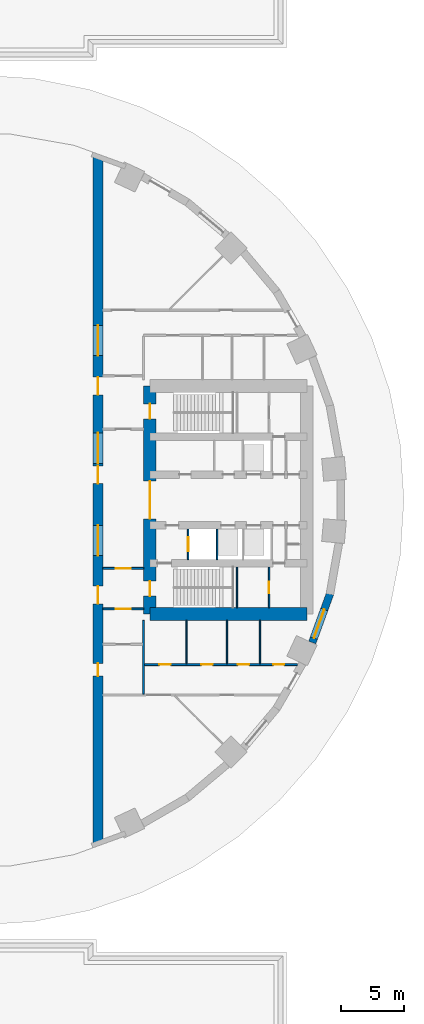
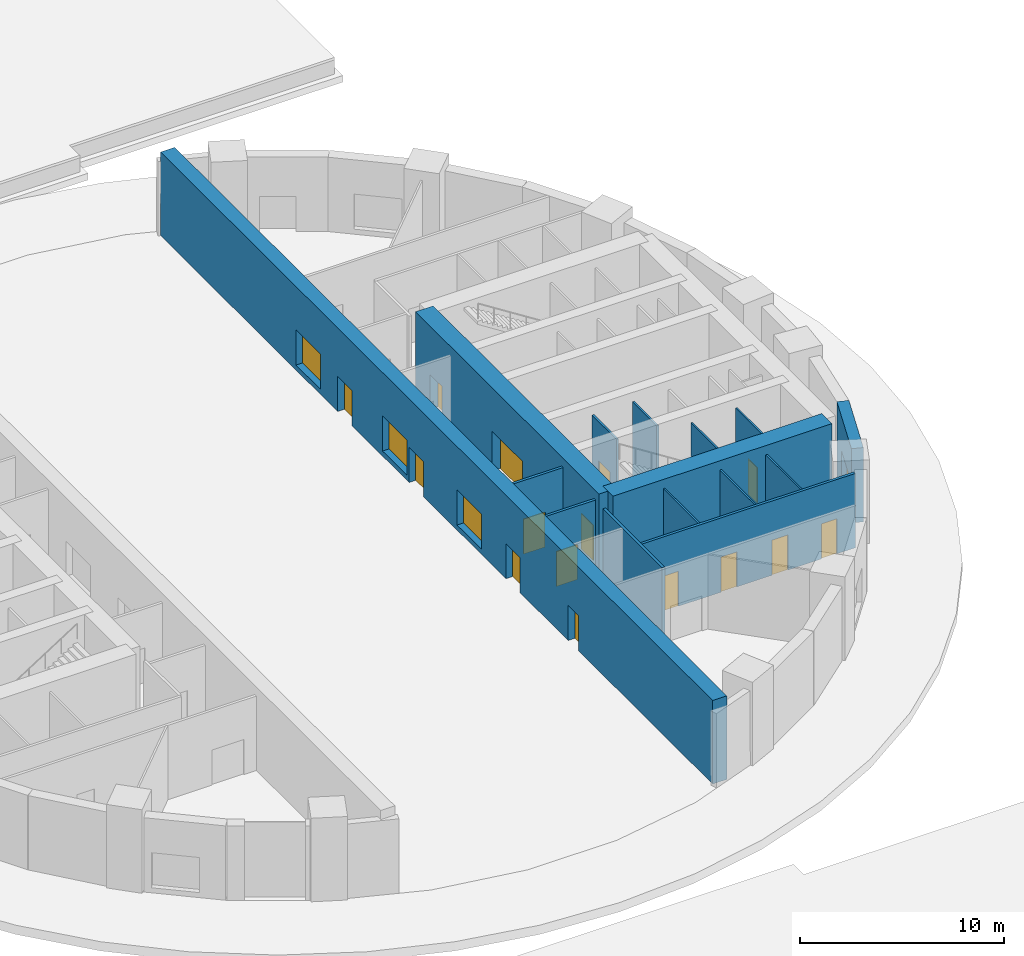
# One storey, part 4 of 10: 15 doors, 15 walls, 4 windows, 19 openings.
"""IFC4 building model written with IfcOpenShell, lengths in metres."""

from ifc_helpers import new_model, si_unit, direction, frame, frame_2d, origin, place, context, subcontext, project, spatial, rectangle, extrude, material, layer, layer_set, type_object, element, fill, save


model = new_model("IFC4")

# Units and contexts
model_context = context("Model", 3, precision=1e-05, world=origin(), true_north=direction((0.0, 1.0)))
body_context = subcontext(model_context, "Body", "Model", "MODEL_VIEW")
ifc_project = project(units=[si_unit("LENGTHUNIT", "METRE"), si_unit("AREAUNIT", "SQUARE_METRE"), si_unit("VOLUMEUNIT", "CUBIC_METRE"), si_unit("PLANEANGLEUNIT", "RADIAN"), si_unit("MASSUNIT", "GRAM", prefix="KILO")], contexts=[model_context])

# Site, building, storey
site_placement = place(None, origin())
site = spatial("IfcSite", under=ifc_project, at=site_placement, CompositionType="ELEMENT")
building_placement = place(site_placement, origin())
building = spatial("IfcBuilding", under=site, at=building_placement, Name="Saqina Gate Tower", CompositionType="ELEMENT")
storey_placement = place(building_placement, origin())
storey = spatial("IfcBuildingStorey", under=building, at=storey_placement, Name="L00", CompositionType="ELEMENT", Elevation=0.0)

# Wall, opening, door
ifc_material_1 = material(Name="Gypsum board on steel studs", Category="steel")
ifc_layer_1 = layer(ifc_material_1, 0.10009765625)
ifc_layer_set_1 = layer_set([ifc_layer_1], Name="CORE PARTITION")
wall_type_1 = type_object("IfcWallType", Name="CORE PARTITION", PredefinedType="PARTITIONING", material=ifc_layer_set_1)
wall_1_placement = place(storey_placement, frame((22.919921875, -8.5, 0.0), z_axis=(0.0, 0.0, 1.0), x_axis=(0.0, 1.0, 0.0)))
wall_1 = element("IfcWall", 1, at=wall_1_placement, inside=storey, type_object=wall_type_1, Name="L00-CP-E14", PredefinedType="PARTITIONING", context=body_context, shape_type="SweptSolid", body=[
    extrude(rectangle(XDim=3.199951171875, YDim=0.10009765625, at=frame_2d((1.60009765625, 0.0))), origin(), (0.0, 0.0, 1.0), 4.449951171875),
])
opening_1_placement = place(wall_1_placement, frame((1.14990234375, 0.0, 0.0)))
opening_1 = element("IfcOpeningElement", 2, at=opening_1_placement, cuts=wall_1, Name="Opening L00-D100", PredefinedType="OPENING", context=body_context, shape_type="SweptSolid", body=[
    extrude(rectangle(XDim=0.89990234375, YDim=2.10009765625, at=frame_2d((0.449951171875, 1.050048828125))), frame((0.0, 0.06201171875, 0.0), z_axis=(0.0, -1.0, 0.0), x_axis=(1.0, 0.0, 0.0)), (0.0, 0.0, 1.0), 0.1240234375),
])
ifc_material_2 = material(Name="Steel-framed fire door leaf, EI 60", Category="steel")
door_type_1 = type_object("IfcDoorType", Name="SERVICE ROOM DOOR 900", OperationType="SINGLE_SWING_LEFT", PredefinedType="DOOR", material=ifc_material_2)
door_1_placement = place(opening_1_placement, origin())
door_1 = element("IfcDoor", 3, at=door_1_placement, inside=storey, type_object=door_type_1, Name="L00-CD-E11", OperationType="SINGLE_SWING_LEFT", OverallHeight=2.10009765625, OverallWidth=0.89990234375, PredefinedType="DOOR", context=body_context, shape_type="SweptSolid", body=[
    extrude(rectangle(XDim=0.89990234375, YDim=2.10009765625, at=frame_2d((0.449951171875, 1.050048828125))), frame((0.0, 0.02490234375, 0.0), z_axis=(0.0, -1.0, 0.0), x_axis=(1.0, 0.0, 0.0)), (0.0, 0.0, 1.0), 0.050048828125),
])
fill(opening_1, door_1)

# Wall, opening, window
ifc_material_3 = material(Name="Glazed ceramic tile (dark blue)", Category="ceramic")
ifc_layer_2 = layer(ifc_material_3, 0.60009765625)
ifc_layer_set_2 = layer_set([ifc_layer_2], Name="FW-TILE-CB")
wall_type_2 = type_object("IfcWallType", Name="FW-TILE-CB", PredefinedType="SOLIDWALL", material=ifc_layer_set_2)
wall_2_placement = place(storey_placement, frame((26.327880859375, -11.255126953125, 0.0), z_axis=(0.0, 0.0, 1.0), x_axis=(0.342034744565, 0.939687306241, 0.0)))
wall_2 = element("IfcWall", 4, at=wall_2_placement, inside=storey, type_object=wall_type_2, Name="Facade wall L00 facet 34", PredefinedType="SOLIDWALL", context=body_context, shape_type="SweptSolid", body=[
    extrude(rectangle(XDim=4.099365234375, YDim=0.60009765625, at=frame_2d((2.0498046875, 0.0))), origin(), (0.0, 0.0, 1.0), 4.449951171875),
])
opening_2_placement = place(wall_2_placement, frame((0.37158203125, 0.0, 0.300048828125)))
opening_2 = element("IfcOpeningElement", 5, at=opening_2_placement, cuts=wall_2, Name="Opening L00-W58", PredefinedType="OPENING", context=body_context, shape_type="SweptSolid", body=[
    extrude(rectangle(XDim=2.39990234375, YDim=2.10009765625, at=frame_2d((1.199951171875, 1.050048828125))), frame((0.0, 0.31201171875, 0.0), z_axis=(0.0, -1.0, 0.0), x_axis=(1.0, 0.0, 0.0)), (0.0, 0.0, 1.0), 0.6240234375),
])
ifc_material_4 = material(Name="Double glazed unit in aluminium frame", Category="aluminium")
window_type = type_object("IfcWindowType", Name="SHOPFRONT WINDOW 2400", PartitioningType="SINGLE_PANEL", PredefinedType="WINDOW", material=ifc_material_4)
window_1_placement = place(opening_2_placement, origin())
window_1 = element("IfcWindow", 6, at=window_1_placement, inside=storey, type_object=window_type, Name="Shopfront window", OverallHeight=2.10009765625, OverallWidth=2.39990234375, PartitioningType="SINGLE_PANEL", PredefinedType="WINDOW", context=body_context, shape_type="SweptSolid", body=[
    extrude(rectangle(XDim=2.39990234375, YDim=2.10009765625, at=frame_2d((1.199951171875, 1.050048828125))), frame((0.0, 0.030029296875, 0.0), z_axis=(0.0, -1.0, 0.0), x_axis=(1.0, 0.0, 0.0)), (0.0, 0.0, 1.0), 0.06005859375),
])
fill(opening_2, window_1)

# Wall, opening, door
ifc_material_5 = material(Name="Autoclaved aerated concrete block", Category="concrete")
ifc_layer_3 = layer(ifc_material_5, 0.1201171875)
ifc_layer_set_3 = layer_set([ifc_layer_3], Name="SHAFT PARTITION")
wall_type_3 = type_object("IfcWallType", Name="SHAFT PARTITION", PredefinedType="PARTITIONING", material=ifc_layer_set_3)
wall_3_placement = place(storey_placement, frame((16.530029296875, -4.699951171875, 0.0), z_axis=(0.0, 0.0, 1.0), x_axis=(0.0, 1.0, 0.0)))
wall_3 = element("IfcWall", 7, at=wall_3_placement, inside=storey, type_object=wall_type_3, Name="L00-CP-E05", PredefinedType="PARTITIONING", context=body_context, shape_type="SweptSolid", body=[
    extrude(rectangle(XDim=2.39990234375, YDim=0.1201171875, at=frame_2d((1.199951171875, 0.0))), origin(), (0.0, 0.0, 1.0), 4.449951171875),
])
opening_3_placement = place(wall_3_placement, frame((0.64990234375, 0.0, 0.0)))
opening_3 = element("IfcOpeningElement", 8, at=opening_3_placement, cuts=wall_3, Name="Opening L00-LD2", PredefinedType="OPENING", context=body_context, shape_type="SweptSolid", body=[
    extrude(rectangle(XDim=1.10009765625, YDim=2.10009765625, at=frame_2d((0.550048828125, 1.050048828125))), frame((0.0, 0.072021484375, 0.0), z_axis=(0.0, -1.0, 0.0), x_axis=(1.0, 0.0, 0.0)), (0.0, 0.0, 1.0), 0.14404296875),
])
ifc_material_6 = material(Name="Stainless steel", Category="steel")
door_type_2 = type_object("IfcDoorType", Name="LANDING DOOR", OperationType="DOUBLE_DOOR_SLIDING", PredefinedType="DOOR", material=ifc_material_6)
door_2_placement = place(opening_3_placement, origin())
door_2 = element("IfcDoor", 9, at=door_2_placement, inside=storey, type_object=door_type_2, Name="LANDING DOOR FF1", OperationType="DOUBLE_DOOR_SLIDING", OverallHeight=2.10009765625, OverallWidth=1.10009765625, PredefinedType="DOOR", context=body_context, shape_type="SweptSolid", body=[
    extrude(rectangle(XDim=1.10009765625, YDim=2.10009765625, at=frame_2d((0.550048828125, 1.050048828125))), frame((0.0, 0.02490234375, 0.0), z_axis=(0.0, -1.0, 0.0), x_axis=(1.0, 0.0, 0.0)), (0.0, 0.0, 1.0), 0.050048828125),
])
fill(opening_3, door_2)

# Walls
wall_4_placement = place(storey_placement, frame((18.81005859375, -4.699951171875, 0.0), z_axis=(0.0, 0.0, 1.0), x_axis=(0.0, 1.0, 0.0)))
element("IfcWall", 10, at=wall_4_placement, inside=storey, type_object=wall_type_3, Name="L00-CP-E06", PredefinedType="PARTITIONING", context=body_context, shape_type="SweptSolid", body=[
    extrude(rectangle(XDim=2.39990234375, YDim=0.1201171875, at=frame_2d((1.199951171875, 0.0))), origin(), (0.0, 0.0, 1.0), 4.449951171875),
])
ifc_material_7 = material(Name="Gypsum board on steel studs, 100 mm", Category="steel")
ifc_layer_4 = layer(ifc_material_7, 0.10009765625)
ifc_layer_set_4 = layer_set([ifc_layer_4], Name="SPECIAL PARTITION 100")
wall_type_4 = type_object("IfcWallType", Name="SPECIAL PARTITION 100", PredefinedType="PARTITIONING", material=ifc_layer_set_4)
for number, where, z_axis, x_axis, name in (
    (11, (22.199951171875, -12.925048828125, 0.0), (0.0, 0.0, 1.0), (0.0, 1.0, 0.0), "PARTITION 023"),
    (12, (19.60009765625, -12.925048828125, 0.0), (0.0, 0.0, 1.0), (0.0, 1.0, 0.0), "PARTITION 025"),
    (13, (16.39990234375, -12.925048828125, 0.0), (0.0, 0.0, 1.0), (0.0, 1.0, 0.0), "PARTITION 027"),
):
    element("IfcWall", number, at=place(storey_placement, frame(where, z_axis=z_axis, x_axis=x_axis)), inside=storey, type_object=wall_type_4, Name=name, PredefinedType="PARTITIONING", context=body_context, shape_type="SweptSolid", body=[
        extrude(rectangle(XDim=3.425048828125, YDim=0.10009765625, at=frame_2d((1.71240234375, 0.0))), origin(), (0.0, 0.0, 1.0), 4.449951171875),
    ])

# Wall, openings, doors
ifc_material_8 = material(Name="Gypsum board on steel studs, 150 mm, fire rated", Category="steel")
ifc_layer_5 = layer(ifc_material_8, 0.14990234375)
ifc_layer_set_5 = layer_set([ifc_layer_5], Name="SPECIAL PARTITION EI 30 150")
wall_type_5 = type_object("IfcWallType", Name="SPECIAL PARTITION EI 30 150", PredefinedType="PARTITIONING", material=ifc_layer_set_5)
wall_5_placement = place(storey_placement, frame((13.074951171875, -13.0, 0.0), z_axis=(0.0, 0.0, 1.0), x_axis=(1.0, 0.0, 0.0)))
wall_5 = element("IfcWall", 14, at=wall_5_placement, inside=storey, type_object=wall_type_5, Name="PARTITION 006", PredefinedType="PARTITIONING", context=body_context, shape_type="SweptSolid", body=[
    extrude(rectangle(XDim=12.0849609375, YDim=0.14990234375, at=frame_2d((6.04248046875, 0.0))), origin(), (0.0, 0.0, 1.0), 4.449951171875),
])
opening_4_placement = place(wall_5_placement, frame((1.175048828125, 0.0, 0.0)))
opening_4 = element("IfcOpeningElement", 15, at=opening_4_placement, cuts=wall_5, Name="Opening L00-D26", PredefinedType="OPENING", context=body_context, shape_type="SweptSolid", body=[
    extrude(rectangle(XDim=0.89990234375, YDim=2.10009765625, at=frame_2d((0.449951171875, 1.050048828125))), frame((0.0, 0.0869140625, 0.0), z_axis=(0.0, -1.0, 0.0), x_axis=(1.0, 0.0, 0.0)), (0.0, 0.0, 1.0), 0.173828125),
])
opening_5_placement = place(wall_5_placement, frame((4.47509765625, 0.0, 0.0)))
opening_5 = element("IfcOpeningElement", 16, at=opening_5_placement, cuts=wall_5, Name="Opening L00-D29", PredefinedType="OPENING", context=body_context, shape_type="SweptSolid", body=[
    extrude(rectangle(XDim=0.89990234375, YDim=2.10009765625, at=frame_2d((0.449951171875, 1.050048828125))), frame((0.0, 0.0869140625, 0.0), z_axis=(0.0, -1.0, 0.0), x_axis=(1.0, 0.0, 0.0)), (0.0, 0.0, 1.0), 0.173828125),
])
opening_6_placement = place(wall_5_placement, frame((7.375, 0.0, 0.0)))
opening_6 = element("IfcOpeningElement", 17, at=opening_6_placement, cuts=wall_5, Name="Opening L00-D30", PredefinedType="OPENING", context=body_context, shape_type="SweptSolid", body=[
    extrude(rectangle(XDim=0.89990234375, YDim=2.10009765625, at=frame_2d((0.449951171875, 1.050048828125))), frame((0.0, 0.0869140625, 0.0), z_axis=(0.0, -1.0, 0.0), x_axis=(1.0, 0.0, 0.0)), (0.0, 0.0, 1.0), 0.173828125),
])
opening_7_placement = place(wall_5_placement, frame((10.155029296875, 0.0, 0.0)))
opening_7 = element("IfcOpeningElement", 18, at=opening_7_placement, cuts=wall_5, Name="Opening L00-D31", PredefinedType="OPENING", context=body_context, shape_type="SweptSolid", body=[
    extrude(rectangle(XDim=0.89990234375, YDim=2.10009765625, at=frame_2d((0.449951171875, 1.050048828125))), frame((0.0, 0.0869140625, 0.0), z_axis=(0.0, -1.0, 0.0), x_axis=(1.0, 0.0, 0.0)), (0.0, 0.0, 1.0), 0.173828125),
])
ifc_material_9 = material(Name="Steel-framed fire door leaf, EI 30", Category="steel")
door_type_3 = type_object("IfcDoorType", Name="SPECIAL DOOR 900 FIRE EI 30", OperationType="SINGLE_SWING_LEFT", PredefinedType="DOOR", material=ifc_material_9)
door_3_placement = place(opening_4_placement, origin())
door_3 = element("IfcDoor", 19, at=door_3_placement, inside=storey, type_object=door_type_3, Name="DOOR L00-D26", OperationType="SINGLE_SWING_LEFT", OverallHeight=2.10009765625, OverallWidth=0.89990234375, PredefinedType="DOOR", context=body_context, shape_type="SweptSolid", body=[
    extrude(rectangle(XDim=0.89990234375, YDim=2.10009765625, at=frame_2d((0.449951171875, 1.050048828125))), frame((0.0, 0.02490234375, 0.0), z_axis=(0.0, -1.0, 0.0), x_axis=(1.0, 0.0, 0.0)), (0.0, 0.0, 1.0), 0.050048828125),
])
fill(opening_4, door_3)
door_4_placement = place(opening_5_placement, origin())
door_4 = element("IfcDoor", 20, at=door_4_placement, inside=storey, type_object=door_type_3, Name="DOOR L00-D29", OperationType="SINGLE_SWING_LEFT", OverallHeight=2.10009765625, OverallWidth=0.89990234375, PredefinedType="DOOR", context=body_context, shape_type="SweptSolid", body=[
    extrude(rectangle(XDim=0.89990234375, YDim=2.10009765625, at=frame_2d((0.449951171875, 1.050048828125))), frame((0.0, 0.02490234375, 0.0), z_axis=(0.0, -1.0, 0.0), x_axis=(1.0, 0.0, 0.0)), (0.0, 0.0, 1.0), 0.050048828125),
])
fill(opening_5, door_4)
door_5_placement = place(opening_6_placement, origin())
door_5 = element("IfcDoor", 21, at=door_5_placement, inside=storey, type_object=door_type_3, Name="DOOR L00-D30", OperationType="SINGLE_SWING_RIGHT", OverallHeight=2.10009765625, OverallWidth=0.89990234375, PredefinedType="DOOR", context=body_context, shape_type="SweptSolid", body=[
    extrude(rectangle(XDim=0.89990234375, YDim=2.10009765625, at=frame_2d((0.449951171875, 1.050048828125))), frame((0.0, 0.02490234375, 0.0), z_axis=(0.0, -1.0, 0.0), x_axis=(1.0, 0.0, 0.0)), (0.0, 0.0, 1.0), 0.050048828125),
])
fill(opening_6, door_5)
door_6_placement = place(opening_7_placement, origin())
door_6 = element("IfcDoor", 22, at=door_6_placement, inside=storey, type_object=door_type_3, Name="DOOR L00-D31", OperationType="SINGLE_SWING_RIGHT", OverallHeight=2.10009765625, OverallWidth=0.89990234375, PredefinedType="DOOR", context=body_context, shape_type="SweptSolid", body=[
    extrude(rectangle(XDim=0.89990234375, YDim=2.10009765625, at=frame_2d((0.449951171875, 1.050048828125))), frame((0.0, 0.02490234375, 0.0), z_axis=(0.0, -1.0, 0.0), x_axis=(1.0, 0.0, 0.0)), (0.0, 0.0, 1.0), 0.050048828125),
])
fill(opening_7, door_6)

# Wall, opening, door
wall_6_placement = place(storey_placement, frame((9.800048828125, -8.60009765625, 0.0), z_axis=(0.0, 0.0, 1.0), x_axis=(1.0, 0.0, 0.0)))
wall_6 = element("IfcWall", 23, at=wall_6_placement, inside=storey, type_object=wall_type_5, Name="PARTITION 009", PredefinedType="PARTITIONING", context=body_context, shape_type="SweptSolid", body=[
    extrude(rectangle(XDim=3.199951171875, YDim=0.14990234375, at=frame_2d((1.60009765625, 0.0))), origin(), (0.0, 0.0, 1.0), 4.449951171875),
])
opening_8_placement = place(wall_6_placement, frame((1.0, 0.0, 0.0)))
opening_8 = element("IfcOpeningElement", 24, at=opening_8_placement, cuts=wall_6, Name="Opening L00-D28", PredefinedType="OPENING", context=body_context, shape_type="SweptSolid", body=[
    extrude(rectangle(XDim=1.199951171875, YDim=2.10009765625, at=frame_2d((0.60009765625, 1.050048828125))), frame((0.0, 0.0869140625, 0.0), z_axis=(0.0, -1.0, 0.0), x_axis=(1.0, 0.0, 0.0)), (0.0, 0.0, 1.0), 0.173828125),
])
ifc_material_10 = material(Name="Steel-framed fire door leaf, EI 30", Category="steel")
door_type_4 = type_object("IfcDoorType", Name="SPECIAL DOOR 1200 FIRE EI 30", OperationType="SINGLE_SWING_LEFT", PredefinedType="DOOR", material=ifc_material_10)
door_7_placement = place(opening_8_placement, origin())
door_7 = element("IfcDoor", 25, at=door_7_placement, inside=storey, type_object=door_type_4, Name="DOOR L00-D28", OperationType="SINGLE_SWING_RIGHT", OverallHeight=2.10009765625, OverallWidth=1.199951171875, PredefinedType="DOOR", context=body_context, shape_type="SweptSolid", body=[
    extrude(rectangle(XDim=1.199951171875, YDim=2.10009765625, at=frame_2d((0.60009765625, 1.050048828125))), frame((0.0, 0.02490234375, 0.0), z_axis=(0.0, -1.0, 0.0), x_axis=(1.0, 0.0, 0.0)), (0.0, 0.0, 1.0), 0.050048828125),
])
fill(opening_8, door_7)

wall_7_placement = place(storey_placement, frame((9.800048828125, -5.39990234375, 0.0), z_axis=(0.0, 0.0, 1.0), x_axis=(1.0, 0.0, 0.0)))
wall_7 = element("IfcWall", 26, at=wall_7_placement, inside=storey, type_object=wall_type_5, Name="PARTITION 011", PredefinedType="PARTITIONING", context=body_context, shape_type="SweptSolid", body=[
    extrude(rectangle(XDim=3.199951171875, YDim=0.14990234375, at=frame_2d((1.60009765625, 0.0))), origin(), (0.0, 0.0, 1.0), 4.449951171875),
])
opening_9_placement = place(wall_7_placement, frame((1.0, 0.0, 0.0)))
opening_9 = element("IfcOpeningElement", 27, at=opening_9_placement, cuts=wall_7, Name="Opening L00-D32", PredefinedType="OPENING", context=body_context, shape_type="SweptSolid", body=[
    extrude(rectangle(XDim=1.199951171875, YDim=2.10009765625, at=frame_2d((0.60009765625, 1.050048828125))), frame((0.0, 0.0869140625, 0.0), z_axis=(0.0, -1.0, 0.0), x_axis=(1.0, 0.0, 0.0)), (0.0, 0.0, 1.0), 0.173828125),
])
door_8_placement = place(opening_9_placement, origin())
door_8 = element("IfcDoor", 28, at=door_8_placement, inside=storey, type_object=door_type_4, Name="DOOR L00-D32", OperationType="SINGLE_SWING_RIGHT", OverallHeight=2.10009765625, OverallWidth=1.199951171875, PredefinedType="DOOR", context=body_context, shape_type="SweptSolid", body=[
    extrude(rectangle(XDim=1.199951171875, YDim=2.10009765625, at=frame_2d((0.60009765625, 1.050048828125))), frame((0.0, 0.02490234375, 0.0), z_axis=(0.0, -1.0, 0.0), x_axis=(1.0, 0.0, 0.0)), (0.0, 0.0, 1.0), 0.050048828125),
])
fill(opening_9, door_8)

# Walls
ifc_material_11 = material(Name="Masonry block and plaster, 150 mm, fire rated", Category="masonry")
ifc_layer_6 = layer(ifc_material_11, 0.14990234375)
ifc_layer_set_6 = layer_set([ifc_layer_6], Name="SPECIAL PARTITION EI 60 150")
wall_type_6 = type_object("IfcWallType", Name="SPECIAL PARTITION EI 60 150", PredefinedType="PARTITIONING", material=ifc_layer_set_6)
wall_8_placement = place(storey_placement, frame((13.0, -15.324951171875, 0.0), z_axis=(0.0, 0.0, 1.0), x_axis=(0.0, 1.0, 0.0)))
element("IfcWall", 29, at=wall_8_placement, inside=storey, type_object=wall_type_6, Name="PARTITION 028", PredefinedType="PARTITIONING", context=body_context, shape_type="SweptSolid", body=[
    extrude(rectangle(XDim=5.824951171875, YDim=0.14990234375, at=frame_2d((2.91259765625, 0.0))), origin(), (0.0, 0.0, 1.0), 4.449951171875),
])
ifc_material_12 = material(Name="Autoclaved aerated concrete block", Category="concrete")
ifc_layer_7 = layer(ifc_material_12, 0.10009765625)
ifc_layer_set_7 = layer_set([ifc_layer_7], Name="STAIR ENCLOSURE WALL")
wall_type_7 = type_object("IfcWallType", Name="STAIR ENCLOSURE WALL", PredefinedType="PARTITIONING", material=ifc_layer_set_7)
wall_9_placement = place(storey_placement, frame((20.389892578125, -8.5, 0.0), z_axis=(0.0, 0.0, 1.0), x_axis=(0.0, 1.0, 0.0)))
element("IfcWall", 30, at=wall_9_placement, inside=storey, type_object=wall_type_7, Name="L00-CP-E13", PredefinedType="PARTITIONING", context=body_context, shape_type="SweptSolid", body=[
    extrude(rectangle(XDim=3.199951171875, YDim=0.10009765625, at=frame_2d((1.60009765625, 0.0))), origin(), (0.0, 0.0, 1.0), 4.449951171875),
])

# Wall, openings, doors
ifc_material_13 = material(Name="Concrete C70/85", Category="concrete")
ifc_layer_8 = layer(ifc_material_13, 1.0)
ifc_layer_set_8 = layer_set([ifc_layer_8], Name="Concrete C70/85")
wall_type_8 = type_object("IfcWallType", Name="STR-CORE WALL-P-O", PredefinedType="SHEAR", material=ifc_layer_set_8)
wall_10_placement = place(storey_placement, frame((13.5, -9.0, 0.0), z_axis=(0.0, 0.0, 1.0), x_axis=(0.0, 1.0, 0.0)))
wall_10 = element("IfcWall", 31, at=wall_10_placement, inside=storey, type_object=wall_type_8, Name="CORE WALL L00 E-W1", PredefinedType="SHEAR", context=body_context, shape_type="SweptSolid", body=[
    extrude(rectangle(XDim=18.0, YDim=1.0, at=frame_2d((9.0, 0.0))), origin(), (0.0, 0.0, 1.0), 5.0),
])
opening_10_placement = place(wall_10_placement, frame((15.39990234375, 0.0, 0.0)))
opening_10 = element("IfcOpeningElement", 32, at=opening_10_placement, cuts=wall_10, Name="Opening L00-D103", PredefinedType="OPENING", context=body_context, shape_type="SweptSolid", body=[
    extrude(rectangle(XDim=1.199951171875, YDim=2.10009765625, at=frame_2d((0.60009765625, 1.050048828125))), frame((0.0, 0.511962890625, 0.0), z_axis=(0.0, -1.0, 0.0), x_axis=(1.0, 0.0, 0.0)), (0.0, 0.0, 1.0), 1.02392578125),
])
opening_11_placement = place(wall_10_placement, frame((1.39990234375, 0.0, 0.0)))
opening_11 = element("IfcOpeningElement", 33, at=opening_11_placement, cuts=wall_10, Name="Opening L00-D104", PredefinedType="OPENING", context=body_context, shape_type="SweptSolid", body=[
    extrude(rectangle(XDim=1.199951171875, YDim=2.10009765625, at=frame_2d((0.60009765625, 1.050048828125))), frame((0.0, 0.511962890625, 0.0), z_axis=(0.0, -1.0, 0.0), x_axis=(1.0, 0.0, 0.0)), (0.0, 0.0, 1.0), 1.02392578125),
])
opening_12_placement = place(wall_10_placement, frame((7.5, 0.0, 0.0)))
opening_12 = element("IfcOpeningElement", 34, at=opening_12_placement, cuts=wall_10, Name="Opening L00-D105", PredefinedType="OPENING", context=body_context, shape_type="SweptSolid", body=[
    extrude(rectangle(XDim=3.0, YDim=2.39990234375, at=frame_2d((1.5, 1.199951171875))), frame((0.0, 0.511962890625, 0.0), z_axis=(0.0, -1.0, 0.0), x_axis=(1.0, 0.0, 0.0)), (0.0, 0.0, 1.0), 1.02392578125),
])
ifc_material_14 = material(Name="Steel", Category="steel")
door_type_5 = type_object("IfcDoorType", Name="FIRE DOOR EI 60", OperationType="SINGLE_SWING_LEFT", PredefinedType="DOOR", material=ifc_material_14)
door_9_placement = place(opening_10_placement, frame((1.199951171875, 0.0, 0.0), z_axis=(0.0, 0.0, 1.0), x_axis=(-1.0, 0.0, 0.0)))
door_9 = element("IfcDoor", 35, at=door_9_placement, inside=storey, type_object=door_type_5, Name="L00-CD-E14", OperationType="SINGLE_SWING_LEFT", OverallHeight=2.10009765625, OverallWidth=1.199951171875, PredefinedType="DOOR", context=body_context, shape_type="SweptSolid", body=[
    extrude(rectangle(XDim=1.199951171875, YDim=2.10009765625, at=frame_2d((0.60009765625, 1.050048828125))), frame((0.0, 0.02490234375, 0.0), z_axis=(0.0, -1.0, 0.0), x_axis=(1.0, 0.0, 0.0)), (0.0, 0.0, 1.0), 0.050048828125),
])
fill(opening_10, door_9)
door_10_placement = place(opening_11_placement, frame((1.199951171875, 0.0, 0.0), z_axis=(0.0, 0.0, 1.0), x_axis=(-1.0, 0.0, 0.0)))
door_10 = element("IfcDoor", 36, at=door_10_placement, inside=storey, type_object=door_type_5, Name="L00-CD-E15", OperationType="SINGLE_SWING_RIGHT", OverallHeight=2.10009765625, OverallWidth=1.199951171875, PredefinedType="DOOR", context=body_context, shape_type="SweptSolid", body=[
    extrude(rectangle(XDim=1.199951171875, YDim=2.10009765625, at=frame_2d((0.60009765625, 1.050048828125))), frame((0.0, 0.02490234375, 0.0), z_axis=(0.0, -1.0, 0.0), x_axis=(1.0, 0.0, 0.0)), (0.0, 0.0, 1.0), 0.050048828125),
])
fill(opening_11, door_10)
ifc_material_15 = material(Name="Steel and fire-resisting glass", Category="steel")
door_type_6 = type_object("IfcDoorType", Name="LOBBY SCREEN DOOR", OperationType="DOUBLE_DOOR_SLIDING", PredefinedType="DOOR", material=ifc_material_15)
door_11_placement = place(opening_12_placement, origin())
door_11 = element("IfcDoor", 37, at=door_11_placement, inside=storey, type_object=door_type_6, Name="L00-CD-E16", OperationType="DOUBLE_DOOR_SLIDING", OverallHeight=2.39990234375, OverallWidth=3.0, PredefinedType="DOOR", context=body_context, shape_type="SweptSolid", body=[
    extrude(rectangle(XDim=3.0, YDim=2.39990234375, at=frame_2d((1.5, 1.199951171875))), frame((0.0, 0.02490234375, 0.0), z_axis=(0.0, -1.0, 0.0), x_axis=(1.0, 0.0, 0.0)), (0.0, 0.0, 1.0), 0.050048828125),
])
fill(opening_12, door_11)

# Wall
wall_11_placement = place(storey_placement, frame((13.5, -9.0, 0.0), z_axis=(0.0, 0.0, 1.0), x_axis=(1.0, 0.0, 0.0)))
element("IfcWall", 38, at=wall_11_placement, inside=storey, type_object=wall_type_8, Name="CORE WALL L00 E-SE", PredefinedType="SHEAR", context=body_context, shape_type="SweptSolid", body=[
    extrude(rectangle(XDim=12.39990234375, YDim=1.0, at=frame_2d((6.199951171875, 0.0))), origin(), (0.0, 0.0, 1.0), 5.0),
])

# Wall, openings, doors, windows
ifc_material_16 = material(Name="Concrete C70/85", Category="concrete")
ifc_layer_9 = layer(ifc_material_16, 0.800048828125)
ifc_layer_set_9 = layer_set([ifc_layer_9], Name="Concrete C70/85")
wall_type_9 = type_object("IfcWallType", Name="STR-PIER-PASSAGE", PredefinedType="SHEAR", material=ifc_layer_set_9)
wall_12_placement = place(storey_placement, frame((9.39990234375, -27.076904296875, 0.0), z_axis=(0.0, 0.0, 1.0), x_axis=(0.0, 1.0, 0.0)))
wall_12 = element("IfcWall", 39, at=wall_12_placement, inside=storey, type_object=wall_type_9, Name="L00-FLKE", PredefinedType="SHEAR", context=body_context, shape_type="SweptSolid", body=[
    extrude(rectangle(XDim=54.15380859375, YDim=0.800048828125, at=frame_2d((27.076904296875, 0.0))), origin(), (0.0, 0.0, 1.0), 5.0),
])
opening_13_placement = place(wall_12_placement, frame((18.876708984375, 0.0, 0.0)))
opening_13 = element("IfcOpeningElement", 40, at=opening_13_placement, cuts=wall_12, Name="Opening L00-D33", PredefinedType="OPENING", context=body_context, shape_type="SweptSolid", body=[
    extrude(rectangle(XDim=1.39990234375, YDim=2.10009765625, at=frame_2d((0.699951171875, 1.050048828125))), frame((0.0, 0.412109375, 0.0), z_axis=(0.0, -1.0, 0.0), x_axis=(1.0, 0.0, 0.0)), (0.0, 0.0, 1.0), 0.823974609375),
])
opening_14_placement = place(wall_12_placement, frame((22.6767578125, 0.0, 0.300048828125)))
opening_14 = element("IfcOpeningElement", 41, at=opening_14_placement, cuts=wall_12, Name="Opening L00-W50", PredefinedType="OPENING", context=body_context, shape_type="SweptSolid", body=[
    extrude(rectangle(XDim=2.39990234375, YDim=2.10009765625, at=frame_2d((1.199951171875, 1.050048828125))), frame((0.0, 0.412109375, 0.0), z_axis=(0.0, -1.0, 0.0), x_axis=(1.0, 0.0, 0.0)), (0.0, 0.0, 1.0), 0.823974609375),
])
opening_15_placement = place(wall_12_placement, frame((28.376708984375, 0.0, 0.0)))
opening_15 = element("IfcOpeningElement", 42, at=opening_15_placement, cuts=wall_12, Name="Opening L00-D34", PredefinedType="OPENING", context=body_context, shape_type="SweptSolid", body=[
    extrude(rectangle(XDim=1.39990234375, YDim=2.10009765625, at=frame_2d((0.699951171875, 1.050048828125))), frame((0.0, 0.412109375, 0.0), z_axis=(0.0, -1.0, 0.0), x_axis=(1.0, 0.0, 0.0)), (0.0, 0.0, 1.0), 0.823974609375),
])
opening_16_placement = place(wall_12_placement, frame((29.976806640625, 0.0, 0.300048828125)))
opening_16 = element("IfcOpeningElement", 43, at=opening_16_placement, cuts=wall_12, Name="Opening L00-W51", PredefinedType="OPENING", context=body_context, shape_type="SweptSolid", body=[
    extrude(rectangle(XDim=2.39990234375, YDim=2.10009765625, at=frame_2d((1.199951171875, 1.050048828125))), frame((0.0, 0.412109375, 0.0), z_axis=(0.0, -1.0, 0.0), x_axis=(1.0, 0.0, 0.0)), (0.0, 0.0, 1.0), 0.823974609375),
])
opening_17_placement = place(wall_12_placement, frame((35.376708984375, 0.0, 0.0)))
opening_17 = element("IfcOpeningElement", 44, at=opening_17_placement, cuts=wall_12, Name="Opening L00-D35", PredefinedType="OPENING", context=body_context, shape_type="SweptSolid", body=[
    extrude(rectangle(XDim=1.39990234375, YDim=2.10009765625, at=frame_2d((0.699951171875, 1.050048828125))), frame((0.0, 0.412109375, 0.0), z_axis=(0.0, -1.0, 0.0), x_axis=(1.0, 0.0, 0.0)), (0.0, 0.0, 1.0), 0.823974609375),
])
opening_18_placement = place(wall_12_placement, frame((38.476806640625, 0.0, 0.300048828125)))
opening_18 = element("IfcOpeningElement", 45, at=opening_18_placement, cuts=wall_12, Name="Opening L00-W52", PredefinedType="OPENING", context=body_context, shape_type="SweptSolid", body=[
    extrude(rectangle(XDim=2.39990234375, YDim=2.10009765625, at=frame_2d((1.199951171875, 1.050048828125))), frame((0.0, 0.412109375, 0.0), z_axis=(0.0, -1.0, 0.0), x_axis=(1.0, 0.0, 0.0)), (0.0, 0.0, 1.0), 0.823974609375),
])
opening_19_placement = place(wall_12_placement, frame((13.1767578125, 0.0, 0.0)))
opening_19 = element("IfcOpeningElement", 46, at=opening_19_placement, cuts=wall_12, Name="Opening L00-D39", PredefinedType="OPENING", context=body_context, shape_type="SweptSolid", body=[
    extrude(rectangle(XDim=1.0, YDim=2.10009765625, at=frame_2d((0.5, 1.050048828125))), frame((0.0, 0.412109375, 0.0), z_axis=(0.0, -1.0, 0.0), x_axis=(1.0, 0.0, 0.0)), (0.0, 0.0, 1.0), 0.823974609375),
])
ifc_material_17 = material(Name="Steel door leaf with glazed vision panel", Category="steel")
door_type_7 = type_object("IfcDoorType", Name="EXIT DOOR 1400 STEEL", OperationType="SINGLE_SWING_LEFT", PredefinedType="DOOR", material=ifc_material_17)
door_12_placement = place(opening_13_placement, origin())
door_12 = element("IfcDoor", 47, at=door_12_placement, inside=storey, type_object=door_type_7, Name="Pedestrian exit 1", OperationType="SINGLE_SWING_LEFT", OverallHeight=2.10009765625, OverallWidth=1.39990234375, PredefinedType="DOOR", context=body_context, shape_type="SweptSolid", body=[
    extrude(rectangle(XDim=1.39990234375, YDim=2.10009765625, at=frame_2d((0.699951171875, 1.050048828125))), frame((0.0, 0.02490234375, 0.0), z_axis=(0.0, -1.0, 0.0), x_axis=(1.0, 0.0, 0.0)), (0.0, 0.0, 1.0), 0.050048828125),
])
fill(opening_13, door_12)
door_13_placement = place(opening_15_placement, origin())
door_13 = element("IfcDoor", 48, at=door_13_placement, inside=storey, type_object=door_type_7, Name="Pedestrian exit 2", OperationType="SINGLE_SWING_RIGHT", OverallHeight=2.10009765625, OverallWidth=1.39990234375, PredefinedType="DOOR", context=body_context, shape_type="SweptSolid", body=[
    extrude(rectangle(XDim=1.39990234375, YDim=2.10009765625, at=frame_2d((0.699951171875, 1.050048828125))), frame((0.0, 0.02490234375, 0.0), z_axis=(0.0, -1.0, 0.0), x_axis=(1.0, 0.0, 0.0)), (0.0, 0.0, 1.0), 0.050048828125),
])
fill(opening_15, door_13)
door_14_placement = place(opening_17_placement, origin())
door_14 = element("IfcDoor", 49, at=door_14_placement, inside=storey, type_object=door_type_7, Name="Pedestrian exit 3", OperationType="SINGLE_SWING_RIGHT", OverallHeight=2.10009765625, OverallWidth=1.39990234375, PredefinedType="DOOR", context=body_context, shape_type="SweptSolid", body=[
    extrude(rectangle(XDim=1.39990234375, YDim=2.10009765625, at=frame_2d((0.699951171875, 1.050048828125))), frame((0.0, 0.02490234375, 0.0), z_axis=(0.0, -1.0, 0.0), x_axis=(1.0, 0.0, 0.0)), (0.0, 0.0, 1.0), 0.050048828125),
])
fill(opening_17, door_14)
ifc_material_18 = material(Name="Steel door leaf, fire rated", Category="steel")
door_type_8 = type_object("IfcDoorType", Name="SERVICE DOOR 1000 STEEL", OperationType="SINGLE_SWING_LEFT", PredefinedType="DOOR", material=ifc_material_18)
door_15_placement = place(opening_19_placement, origin())
door_15 = element("IfcDoor", 50, at=door_15_placement, inside=storey, type_object=door_type_8, Name="Fire control room external door", OperationType="SINGLE_SWING_LEFT", OverallHeight=2.10009765625, OverallWidth=1.0, PredefinedType="DOOR", context=body_context, shape_type="SweptSolid", body=[
    extrude(rectangle(XDim=1.0, YDim=2.10009765625, at=frame_2d((0.5, 1.050048828125))), frame((0.0, 0.02490234375, 0.0), z_axis=(0.0, -1.0, 0.0), x_axis=(1.0, 0.0, 0.0)), (0.0, 0.0, 1.0), 0.050048828125),
])
fill(opening_19, door_15)
window_2_placement = place(opening_14_placement, origin())
window_2 = element("IfcWindow", 51, at=window_2_placement, inside=storey, type_object=window_type, Name="Shopfront window", OverallHeight=2.10009765625, OverallWidth=2.39990234375, PartitioningType="SINGLE_PANEL", PredefinedType="WINDOW", context=body_context, shape_type="SweptSolid", body=[
    extrude(rectangle(XDim=2.39990234375, YDim=2.10009765625, at=frame_2d((1.199951171875, 1.050048828125))), frame((0.0, 0.030029296875, 0.0), z_axis=(0.0, -1.0, 0.0), x_axis=(1.0, 0.0, 0.0)), (0.0, 0.0, 1.0), 0.06005859375),
])
fill(opening_14, window_2)
window_3_placement = place(opening_16_placement, origin())
window_3 = element("IfcWindow", 52, at=window_3_placement, inside=storey, type_object=window_type, Name="Shopfront window", OverallHeight=2.10009765625, OverallWidth=2.39990234375, PartitioningType="SINGLE_PANEL", PredefinedType="WINDOW", context=body_context, shape_type="SweptSolid", body=[
    extrude(rectangle(XDim=2.39990234375, YDim=2.10009765625, at=frame_2d((1.199951171875, 1.050048828125))), frame((0.0, 0.030029296875, 0.0), z_axis=(0.0, -1.0, 0.0), x_axis=(1.0, 0.0, 0.0)), (0.0, 0.0, 1.0), 0.06005859375),
])
fill(opening_16, window_3)
window_4_placement = place(opening_18_placement, origin())
window_4 = element("IfcWindow", 53, at=window_4_placement, inside=storey, type_object=window_type, Name="Shopfront window", OverallHeight=2.10009765625, OverallWidth=2.39990234375, PartitioningType="SINGLE_PANEL", PredefinedType="WINDOW", context=body_context, shape_type="SweptSolid", body=[
    extrude(rectangle(XDim=2.39990234375, YDim=2.10009765625, at=frame_2d((1.199951171875, 1.050048828125))), frame((0.0, 0.030029296875, 0.0), z_axis=(0.0, -1.0, 0.0), x_axis=(1.0, 0.0, 0.0)), (0.0, 0.0, 1.0), 0.06005859375),
])
fill(opening_18, window_4)

save(model, "model.ifc")
